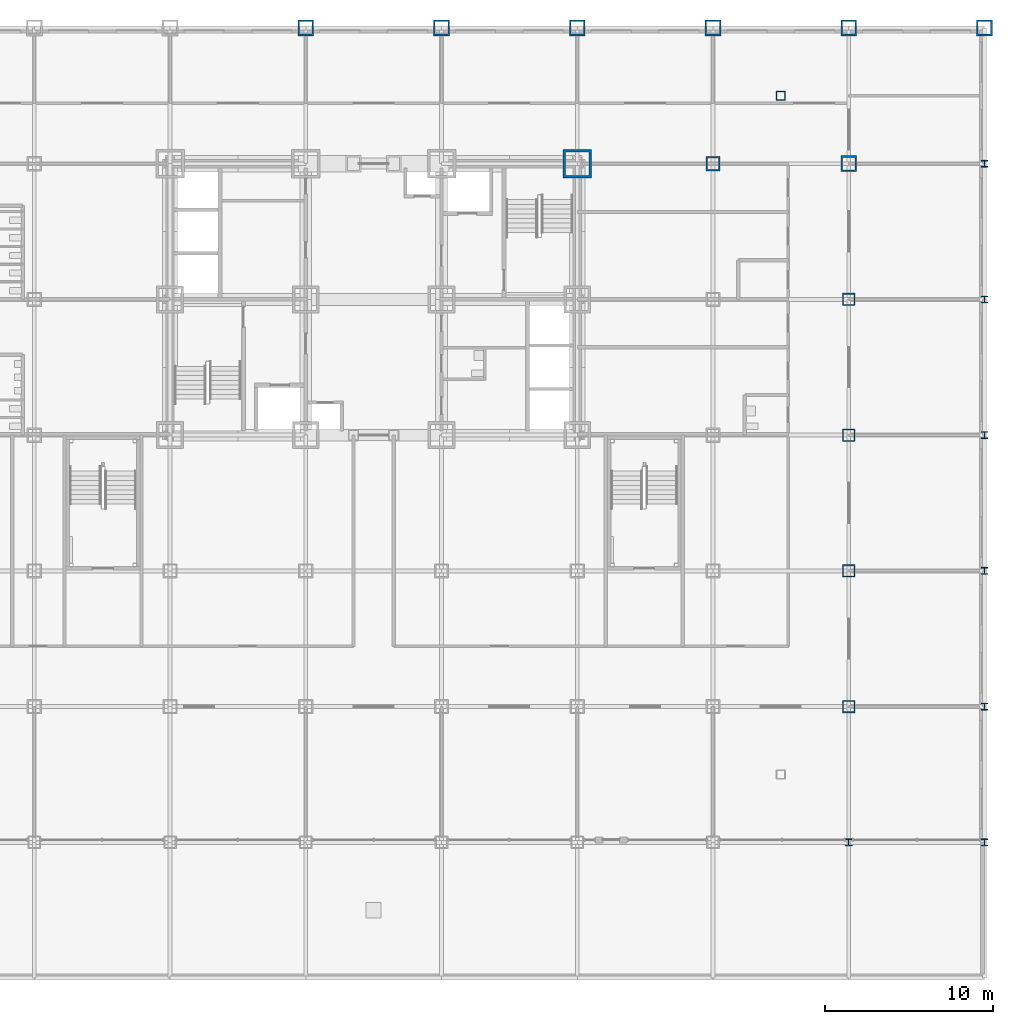
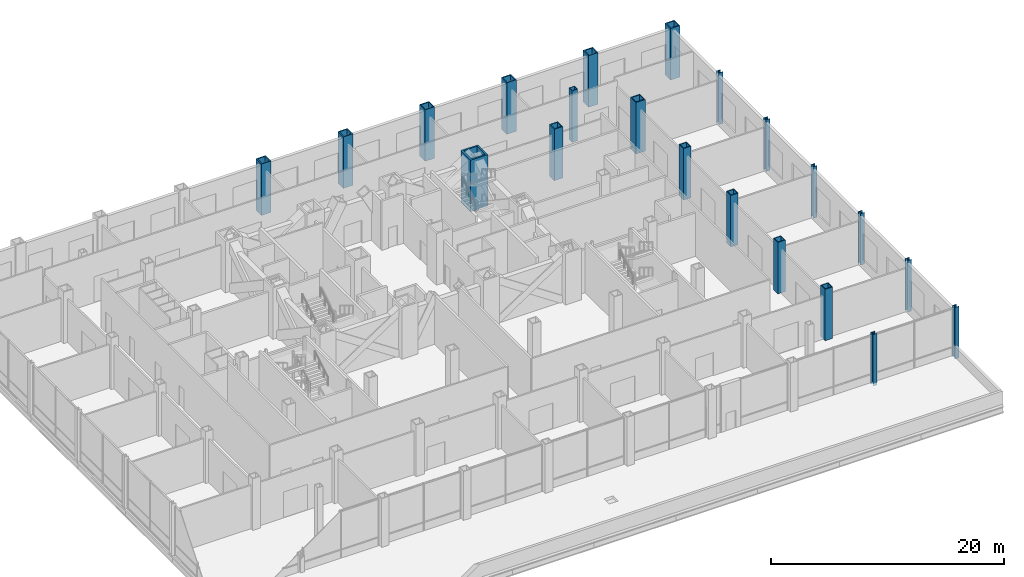
# One storey, part 8 of 29: 21 columns.
"""IFC4 building model written with IfcOpenShell, lengths in metres."""

from ifc_helpers import new_model, si_unit, direction, frame, origin, origin_2d, place, context, subcontext, project, spatial, hollow_rectangle, i_section, extrude, material, material_profile, profile_set, type_object, element, save


model = new_model("IFC4")

# Units and contexts
model_context = context("Model", 3, precision=1e-05, world=origin(), true_north=direction((0.0, 1.0)))
body_context = subcontext(model_context, "Body", "Model", "MODEL_VIEW")
ifc_project = project(units=[si_unit("LENGTHUNIT", "METRE"), si_unit("AREAUNIT", "SQUARE_METRE"), si_unit("VOLUMEUNIT", "CUBIC_METRE"), si_unit("PLANEANGLEUNIT", "RADIAN"), si_unit("MASSUNIT", "GRAM", prefix="KILO")], contexts=[model_context])

# Site, building, storey
site_placement = place(None, origin())
site = spatial("IfcSite", under=ifc_project, at=site_placement, CompositionType="ELEMENT")
building_placement = place(site_placement, origin())
building = spatial("IfcBuilding", under=site, at=building_placement, Name="Kopane Lantern Tower", CompositionType="ELEMENT")
storey_placement = place(building_placement, frame((0.0, 0.0, 11.39990234375)))
storey = spatial("IfcBuildingStorey", under=building, at=storey_placement, Name="L02", CompositionType="ELEMENT", Elevation=11.39990234375)

# Columns
ifc_material_1 = material(Name="Steel S355JR", Category="steel")
ifc_material_profile_1 = material_profile(ifc_material_1, hollow_rectangle(XDim=1.699951171875, YDim=1.699951171875, WallThickness=0.159912109375, at=origin_2d()), Name="BOX 1700x1700x160")
ifc_profile_set_1 = profile_set([ifc_material_profile_1], Name="Steel S355JR")
column_type_1 = type_object("IfcColumnType", Name="COLUMN BOX 1700x1700x160", PredefinedType="COLUMN", material=ifc_profile_set_1)
column_1_placement = place(storey_placement, frame((40.5, 40.5, 0.0), z_axis=(0.0, 0.0, 1.0), x_axis=(1.0, 0.0, 0.0)))
element("IfcColumn", 1, at=column_1_placement, inside=storey, type_object=column_type_1, Name="Column 7/G L02", PredefinedType="COLUMN", context=body_context, shape_type="SweptSolid", body=[
    extrude(hollow_rectangle(XDim=1.699951171875, YDim=1.699951171875, WallThickness=0.159912109375, at=origin_2d()), origin(), (0.0, 0.0, 1.0), 5.400146484375),
])
ifc_material_2 = material(Name="Steel S355JR", Category="steel")
ifc_material_profile_2 = material_profile(ifc_material_2, hollow_rectangle(XDim=0.550048828125, YDim=0.550048828125, WallThickness=0.050048828125, at=origin_2d()), Name="BOX 550x550x50")
ifc_profile_set_2 = profile_set([ifc_material_profile_2], Name="Steel S355JR")
column_type_2 = type_object("IfcColumnType", Name="COLUMN BOX 550x550x50", PredefinedType="COLUMN", material=ifc_profile_set_2)
column_2_placement = place(storey_placement, frame((52.64990234375, 44.550048828125, 0.0), z_axis=(0.0, 0.0, 1.0), x_axis=(1.0, 0.0, 0.0)))
element("IfcColumn", 2, at=column_2_placement, inside=storey, type_object=column_type_2, Name="Column 52.65/44.55 L02", PredefinedType="COLUMN", context=body_context, shape_type="SweptSolid", body=[
    extrude(hollow_rectangle(XDim=0.550048828125, YDim=0.550048828125, WallThickness=0.050048828125, at=origin_2d()), origin(), (0.0, 0.0, 1.0), 5.400146484375),
])
ifc_material_3 = material(Name="Steel S355JR", Category="steel")
ifc_material_profile_3 = material_profile(ifc_material_3, hollow_rectangle(XDim=0.75, YDim=0.75, WallThickness=0.070068359375, at=origin_2d()), Name="BOX 750x750x70")
ifc_profile_set_3 = profile_set([ifc_material_profile_3], Name="Steel S355JR")
column_type_3 = type_object("IfcColumnType", Name="COLUMN BOX 750x750x70", PredefinedType="COLUMN", material=ifc_profile_set_3)
for number, where, z_axis, x_axis, name in (
    (3, (56.699951171875, 8.10009765625, 0.0), (0.0, 0.0, 1.0), (1.0, 0.0, 0.0), "Column 9/C L02"),
    (4, (56.699951171875, 16.199951171875, 0.0), (0.0, 0.0, 1.0), (1.0, 0.0, 0.0), "Column 9/D L02"),
    (5, (56.699951171875, 24.300048828125, 0.0), (0.0, 0.0, 1.0), (1.0, 0.0, 0.0), "Column 9/E L02"),
    (6, (56.699951171875, 32.39990234375, 0.0), (0.0, 0.0, 1.0), (1.0, 0.0, 0.0), "Column 9/F L02"),
):
    element("IfcColumn", number, at=place(storey_placement, frame(where, z_axis=z_axis, x_axis=x_axis)), inside=storey, type_object=column_type_3, Name=name, PredefinedType="COLUMN", context=body_context, shape_type="SweptSolid", body=[
        extrude(hollow_rectangle(XDim=0.75, YDim=0.75, WallThickness=0.070068359375, at=origin_2d()), origin(), (0.0, 0.0, 1.0), 5.400146484375),
    ])
ifc_material_4 = material(Name="Steel S355JR", Category="steel")
ifc_material_profile_4 = material_profile(ifc_material_4, hollow_rectangle(XDim=0.85009765625, YDim=0.85009765625, WallThickness=0.0849609375, at=origin_2d()), Name="BOX 850x850x85")
ifc_profile_set_4 = profile_set([ifc_material_profile_4], Name="Steel S355JR")
column_type_4 = type_object("IfcColumnType", Name="COLUMN BOX 850x850x85", PredefinedType="COLUMN", material=ifc_profile_set_4)
column_3_placement = place(storey_placement, frame((48.60009765625, 40.5, 0.0), z_axis=(0.0, 0.0, 1.0), x_axis=(1.0, 0.0, 0.0)))
element("IfcColumn", 7, at=column_3_placement, inside=storey, type_object=column_type_4, Name="Column 8/G L02", PredefinedType="COLUMN", context=body_context, shape_type="SweptSolid", body=[
    extrude(hollow_rectangle(XDim=0.85009765625, YDim=0.85009765625, WallThickness=0.0849609375, at=origin_2d()), origin(), (0.0, 0.0, 1.0), 5.400146484375),
])
ifc_material_5 = material(Name="Steel S355JR", Category="steel")
ifc_material_profile_5 = material_profile(ifc_material_5, hollow_rectangle(XDim=0.949951171875, YDim=0.949951171875, WallThickness=0.10009765625, at=origin_2d()), Name="BOX 950x950x100")
ifc_profile_set_5 = profile_set([ifc_material_profile_5], Name="Steel S355JR")
column_type_5 = type_object("IfcColumnType", Name="COLUMN BOX 950x950x100", PredefinedType="COLUMN", material=ifc_profile_set_5)
for number, where, z_axis, x_axis, name in (
    (8, (24.300048828125, 48.60009765625, 0.0), (0.0, 0.0, 1.0), (1.0, 0.0, 0.0), "Column 5/H L02"),
    (9, (32.39990234375, 48.60009765625, 0.0), (0.0, 0.0, 1.0), (1.0, 0.0, 0.0), "Column 6/H L02"),
    (10, (40.5, 48.60009765625, 0.0), (0.0, 0.0, 1.0), (1.0, 0.0, 0.0), "Column 7/H L02"),
    (11, (48.60009765625, 48.60009765625, 0.0), (0.0, 0.0, 1.0), (1.0, 0.0, 0.0), "Column 8/H L02"),
    (12, (56.699951171875, 40.5, 0.0), (0.0, 0.0, 1.0), (1.0, 0.0, 0.0), "Column 9/G L02"),
    (13, (56.699951171875, 48.60009765625, 0.0), (0.0, 0.0, 1.0), (1.0, 0.0, 0.0), "Column 9/H L02"),
    (14, (64.800048828125, 48.60009765625, 0.0), (0.0, 0.0, 1.0), (1.0, 0.0, 0.0), "Column 10/H L02"),
):
    element("IfcColumn", number, at=place(storey_placement, frame(where, z_axis=z_axis, x_axis=x_axis)), inside=storey, type_object=column_type_5, Name=name, PredefinedType="COLUMN", context=body_context, shape_type="SweptSolid", body=[
        extrude(hollow_rectangle(XDim=0.949951171875, YDim=0.949951171875, WallThickness=0.10009765625, at=origin_2d()), origin(), (0.0, 0.0, 1.0), 5.400146484375),
    ])
ifc_material_6 = material(Name="Steel S355JR", Category="steel")
ifc_material_profile_6 = material_profile(ifc_material_6, i_section(OverallWidth=0.403076171875, OverallDepth=0.406494140625, WebThickness=0.026611328125, FlangeThickness=0.04296875, FilletRadius=0.01513671875, at=origin_2d()), Name="UC 356x406x340")
ifc_profile_set_6 = profile_set([ifc_material_profile_6], Name="Steel S355JR")
column_type_6 = type_object("IfcColumnType", Name="COLUMN UC 356x406x340", PredefinedType="COLUMN", material=ifc_profile_set_6)
for number, where, z_axis, x_axis, name in (
    (15, (56.699951171875, 0.0, 0.0), (0.0, 0.0, 1.0), (1.0, 0.0, 0.0), "Column 9/B L02"),
    (16, (64.800048828125, 0.0, 0.0), (0.0, 0.0, 1.0), (1.0, 0.0, 0.0), "Column 10/B L02"),
    (17, (64.800048828125, 8.10009765625, 0.0), (0.0, 0.0, 1.0), (1.0, 0.0, 0.0), "Column 10/C L02"),
    (18, (64.800048828125, 16.199951171875, 0.0), (0.0, 0.0, 1.0), (1.0, 0.0, 0.0), "Column 10/D L02"),
    (19, (64.800048828125, 24.300048828125, 0.0), (0.0, 0.0, 1.0), (1.0, 0.0, 0.0), "Column 10/E L02"),
    (20, (64.800048828125, 32.39990234375, 0.0), (0.0, 0.0, 1.0), (1.0, 0.0, 0.0), "Column 10/F L02"),
    (21, (64.800048828125, 40.5, 0.0), (0.0, 0.0, 1.0), (1.0, 0.0, 0.0), "Column 10/G L02"),
):
    element("IfcColumn", number, at=place(storey_placement, frame(where, z_axis=z_axis, x_axis=x_axis)), inside=storey, type_object=column_type_6, Name=name, PredefinedType="COLUMN", context=body_context, shape_type="SweptSolid", body=[
        extrude(i_section(OverallWidth=0.403076171875, OverallDepth=0.406494140625, WebThickness=0.026611328125, FlangeThickness=0.04296875, FilletRadius=0.01513671875, at=origin_2d()), origin(), (0.0, 0.0, 1.0), 5.400146484375),
    ])

save(model, "model.ifc")
